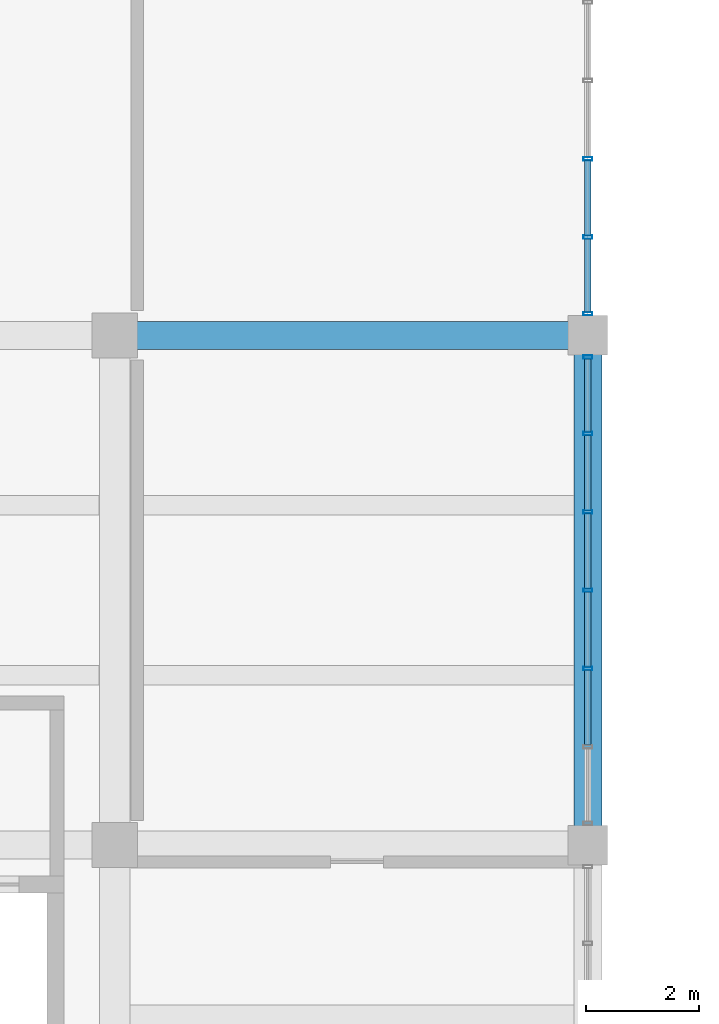
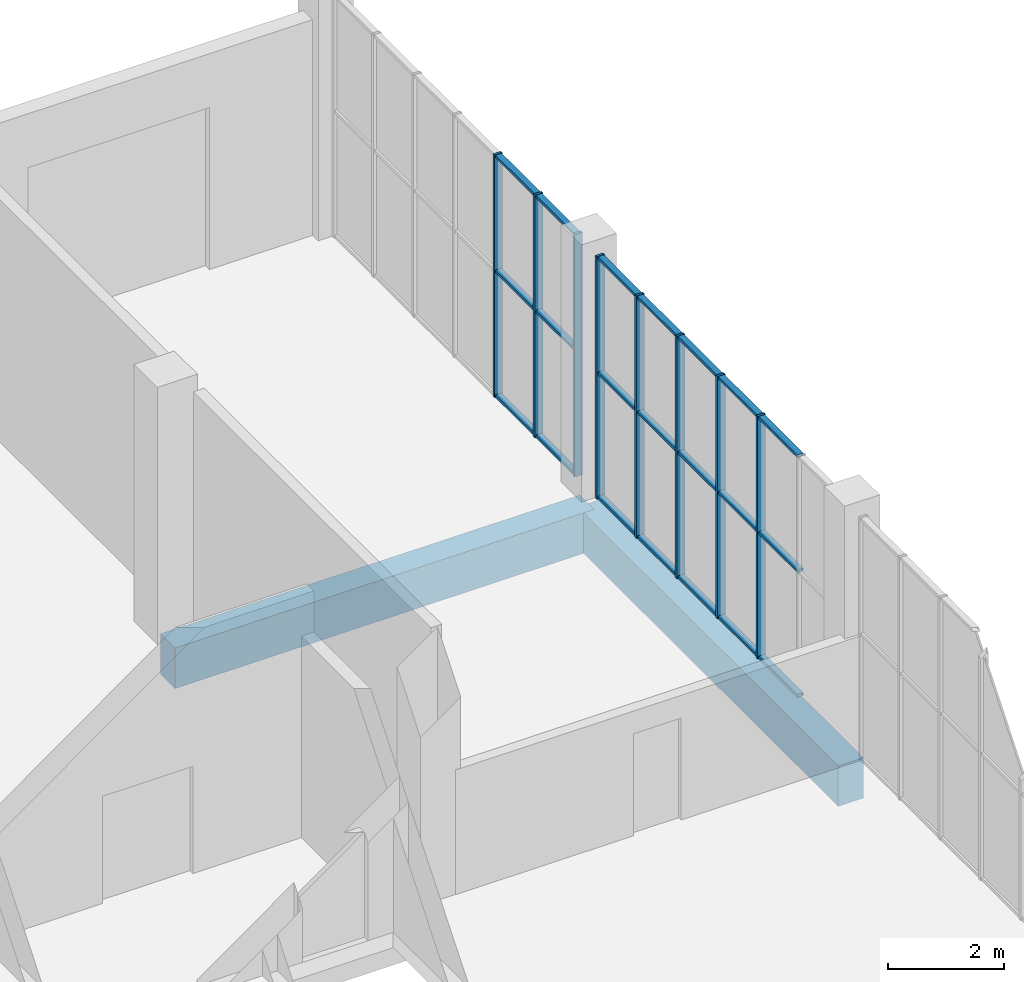
# One storey, part 59 of 91: 29 members, 2 beams, 2 elements without a shape of their own.
"""IFC4 building model written with IfcOpenShell, lengths in metres."""

from ifc_helpers import new_model, si_unit, direction, frame, origin, origin_2d, place, context, subcontext, project, spatial, rectangle, hollow_rectangle, extrude, material, material_profile, profile_set, type_object, element, aggregate, save


model = new_model("IFC4")

# Units and contexts
model_context = context("Model", 3, precision=1e-05, world=origin(), true_north=direction((0.0, 1.0)))
body_context = subcontext(model_context, "Body", "Model", "MODEL_VIEW")
ifc_project = project(units=[si_unit("LENGTHUNIT", "METRE"), si_unit("AREAUNIT", "SQUARE_METRE"), si_unit("VOLUMEUNIT", "CUBIC_METRE"), si_unit("PLANEANGLEUNIT", "RADIAN"), si_unit("MASSUNIT", "GRAM", prefix="KILO")], contexts=[model_context])

# Site, building, storey
site_placement = place(None, origin())
site = spatial("IfcSite", under=ifc_project, at=site_placement, CompositionType="ELEMENT")
building_placement = place(site_placement, origin())
building = spatial("IfcBuilding", under=site, at=building_placement, Name="Khurvash Pelagic Aquarium", CompositionType="ELEMENT")
storey_placement = place(building_placement, origin())
storey = spatial("IfcBuildingStorey", under=building, at=storey_placement, Name="L00", CompositionType="ELEMENT", Elevation=0.0)

# Beam
ifc_material_1 = material(Name="Concrete C40/50", Category="concrete")
ifc_material_profile_1 = material_profile(ifc_material_1, rectangle(XDim=0.5, YDim=0.85009765625, at=origin_2d()), Name="RC500X850")
ifc_profile_set_1 = profile_set([ifc_material_profile_1], Name="Concrete C40/50")
beam_type_1 = type_object("IfcBeamType", Name="BM-03", PredefinedType="BEAM", material=ifc_profile_set_1)
beam_1_placement = place(storey_placement, frame((117.639892578125, 102.14990234375, -0.7451171875), z_axis=(1.0, 0.0, 0.0), x_axis=(0.0, 1.0, 0.0)))
element("IfcBeam", 1, at=beam_1_placement, inside=storey, type_object=beam_type_1, Name="L00 Primary Girder BM-03 00076", PredefinedType="BEAM", context=body_context, shape_type="SweptSolid", body=[
    extrude(rectangle(XDim=0.5, YDim=0.85009765625, at=origin_2d()), origin(), (0.0, 0.0, 1.0), 8.320068359375),
])

# Curtain wall, members
ifc_material_2 = material(Name="Anodised aluminium and low-E laminated glass", Category="aluminium")
curtain_wall_type = type_object("IfcCurtainWallType", Name="CW-05", PredefinedType="USERDEFINED", material=ifc_material_2)
curtain_wall_1_placement = place(storey_placement, origin())
curtain_wall_1 = element("IfcCurtainWall", 2, at=curtain_wall_1_placement, inside=storey, type_object=curtain_wall_type, Name="L00 Facade Unitised Curtain Wall CW-05 0062", ObjectType="UNITISED CURTAIN WALL", PredefinedType="USERDEFINED")
ifc_material_3 = material(Name="Extruded aluminium AW-6063-T6", Category="aluminium")
ifc_material_profile_2 = material_profile(ifc_material_3, hollow_rectangle(XDim=0.06005859375, YDim=0.159912109375, WallThickness=0.00390625, at=origin_2d()), Name="CWM60X160X4")
ifc_profile_set_2 = profile_set([ifc_material_profile_2], Name="Extruded aluminium AW-6063-T6")
member_type_1 = type_object("IfcMemberType", Name="CM-02", PredefinedType="MULLION", material=ifc_profile_set_2)
member_1_placement = place(storey_placement, frame((126.0, 96.235107421875, 0.0), z_axis=(0.0, 0.0, 1.0), x_axis=(0.0, 1.0, 0.0)))
member_1 = element("IfcMember", 3, at=member_1_placement, type_object=member_type_1, Name="CW-05 mullion 3", PredefinedType="MULLION", context=body_context, shape_type="SweptSolid", body=[
    extrude(hollow_rectangle(XDim=0.06005859375, YDim=0.159912109375, WallThickness=0.00390625, at=origin_2d()), origin(), (0.0, 0.0, 1.0), 5.090087890625),
])
member_2_placement = place(storey_placement, frame((126.0, 97.625, 0.0), z_axis=(0.0, 0.0, 1.0), x_axis=(0.0, 1.0, 0.0)))
member_2 = element("IfcMember", 4, at=member_2_placement, type_object=member_type_1, Name="CW-05 mullion 4", PredefinedType="MULLION", context=body_context, shape_type="SweptSolid", body=[
    extrude(hollow_rectangle(XDim=0.06005859375, YDim=0.159912109375, WallThickness=0.00390625, at=origin_2d()), origin(), (0.0, 0.0, 1.0), 5.090087890625),
])
member_3_placement = place(storey_placement, frame((126.0, 99.014892578125, 0.0), z_axis=(0.0, 0.0, 1.0), x_axis=(0.0, 1.0, 0.0)))
member_3 = element("IfcMember", 5, at=member_3_placement, type_object=member_type_1, Name="CW-05 mullion 5", PredefinedType="MULLION", context=body_context, shape_type="SweptSolid", body=[
    extrude(hollow_rectangle(XDim=0.06005859375, YDim=0.159912109375, WallThickness=0.00390625, at=origin_2d()), origin(), (0.0, 0.0, 1.0), 5.090087890625),
])
member_4_placement = place(storey_placement, frame((126.0, 100.405029296875, 0.0), z_axis=(0.0, 0.0, 1.0), x_axis=(0.0, 1.0, 0.0)))
member_4 = element("IfcMember", 6, at=member_4_placement, type_object=member_type_1, Name="CW-05 mullion 6", PredefinedType="MULLION", context=body_context, shape_type="SweptSolid", body=[
    extrude(hollow_rectangle(XDim=0.06005859375, YDim=0.159912109375, WallThickness=0.00390625, at=origin_2d()), origin(), (0.0, 0.0, 1.0), 5.090087890625),
])
member_5_placement = place(storey_placement, frame((126.0, 101.764892578125, 0.0), z_axis=(0.0, 0.0, 1.0), x_axis=(0.0, 1.0, 0.0)))
member_5 = element("IfcMember", 7, at=member_5_placement, type_object=member_type_1, Name="CW-05 mullion 7", PredefinedType="MULLION", context=body_context, shape_type="SweptSolid", body=[
    extrude(hollow_rectangle(XDim=0.06005859375, YDim=0.159912109375, WallThickness=0.00390625, at=origin_2d()), origin(), (0.0, 0.0, 1.0), 5.090087890625),
])

curtain_wall_2_placement = place(storey_placement, origin())
curtain_wall_2 = element("IfcCurtainWall", 8, at=curtain_wall_2_placement, inside=storey, type_object=curtain_wall_type, Name="L00 Facade Unitised Curtain Wall CW-05 0063", ObjectType="UNITISED CURTAIN WALL", PredefinedType="USERDEFINED")
member_6_placement = place(storey_placement, frame((126.0, 102.534912109375, 0.0), z_axis=(0.0, 0.0, 1.0), x_axis=(0.0, 1.0, 0.0)))
member_6 = element("IfcMember", 9, at=member_6_placement, type_object=member_type_1, Name="CW-05 mullion 1", PredefinedType="MULLION", context=body_context, shape_type="SweptSolid", body=[
    extrude(hollow_rectangle(XDim=0.06005859375, YDim=0.159912109375, WallThickness=0.00390625, at=origin_2d()), origin(), (0.0, 0.0, 1.0), 5.090087890625),
])
member_7_placement = place(storey_placement, frame((126.0, 103.89501953125, 0.0), z_axis=(0.0, 0.0, 1.0), x_axis=(0.0, 1.0, 0.0)))
member_7 = element("IfcMember", 10, at=member_7_placement, type_object=member_type_1, Name="CW-05 mullion 2", PredefinedType="MULLION", context=body_context, shape_type="SweptSolid", body=[
    extrude(hollow_rectangle(XDim=0.06005859375, YDim=0.159912109375, WallThickness=0.00390625, at=origin_2d()), origin(), (0.0, 0.0, 1.0), 5.090087890625),
])
member_8_placement = place(storey_placement, frame((126.0, 105.284912109375, 0.0), z_axis=(0.0, 0.0, 1.0), x_axis=(0.0, 1.0, 0.0)))
member_8 = element("IfcMember", 11, at=member_8_placement, type_object=member_type_1, Name="CW-05 mullion 3", PredefinedType="MULLION", context=body_context, shape_type="SweptSolid", body=[
    extrude(hollow_rectangle(XDim=0.06005859375, YDim=0.159912109375, WallThickness=0.00390625, at=origin_2d()), origin(), (0.0, 0.0, 1.0), 5.090087890625),
])

# Member
ifc_material_profile_3 = material_profile(ifc_material_3, hollow_rectangle(XDim=0.1201171875, YDim=0.06005859375, WallThickness=0.00390625, at=origin_2d()), Name="CWT120X60X4")
ifc_profile_set_3 = profile_set([ifc_material_profile_3], Name="Extruded aluminium AW-6063-T6")
member_type_2 = type_object("IfcMemberType", Name="CT-02", PredefinedType="USERDEFINED", material=ifc_profile_set_3)
member_9_placement = place(storey_placement, frame((126.0, 94.875, 0.030029296875), z_axis=(0.0, 1.0, 0.0), x_axis=(-1.0, 0.0, 0.0)))
member_9 = element("IfcMember", 12, at=member_9_placement, type_object=member_type_2, Name="CW-05 transom 2.1", ObjectType="TRANSOM", PredefinedType="USERDEFINED", context=body_context, shape_type="SweptSolid", body=[
    extrude(hollow_rectangle(XDim=0.1201171875, YDim=0.06005859375, WallThickness=0.00390625, at=origin_2d()), origin(), (0.0, 0.0, 1.0), 1.330078125),
])

member_10_placement = place(storey_placement, frame((126.0, 94.875, 2.64697265625), z_axis=(0.0, 1.0, 0.0), x_axis=(-1.0, 0.0, 0.0)))
member_10 = element("IfcMember", 13, at=member_10_placement, type_object=member_type_2, Name="CW-05 transom 2.2", ObjectType="TRANSOM", PredefinedType="USERDEFINED", context=body_context, shape_type="SweptSolid", body=[
    extrude(hollow_rectangle(XDim=0.1201171875, YDim=0.06005859375, WallThickness=0.00390625, at=origin_2d()), origin(), (0.0, 0.0, 1.0), 1.330078125),
])

member_11_placement = place(storey_placement, frame((126.0, 94.875, 5.06005859375), z_axis=(0.0, 1.0, 0.0), x_axis=(-1.0, 0.0, 0.0)))
member_11 = element("IfcMember", 14, at=member_11_placement, type_object=member_type_2, Name="CW-05 transom 2.3", ObjectType="TRANSOM", PredefinedType="USERDEFINED", context=body_context, shape_type="SweptSolid", body=[
    extrude(hollow_rectangle(XDim=0.1201171875, YDim=0.06005859375, WallThickness=0.00390625, at=origin_2d()), origin(), (0.0, 0.0, 1.0), 1.330078125),
])

member_12_placement = place(storey_placement, frame((126.0, 96.264892578125, 0.030029296875), z_axis=(0.0, 1.0, 0.0), x_axis=(-1.0, 0.0, 0.0)))
member_12 = element("IfcMember", 15, at=member_12_placement, type_object=member_type_2, Name="CW-05 transom 3.1", ObjectType="TRANSOM", PredefinedType="USERDEFINED", context=body_context, shape_type="SweptSolid", body=[
    extrude(hollow_rectangle(XDim=0.1201171875, YDim=0.06005859375, WallThickness=0.00390625, at=origin_2d()), origin(), (0.0, 0.0, 1.0), 1.330078125),
])

member_13_placement = place(storey_placement, frame((126.0, 96.264892578125, 2.64697265625), z_axis=(0.0, 1.0, 0.0), x_axis=(-1.0, 0.0, 0.0)))
member_13 = element("IfcMember", 16, at=member_13_placement, type_object=member_type_2, Name="CW-05 transom 3.2", ObjectType="TRANSOM", PredefinedType="USERDEFINED", context=body_context, shape_type="SweptSolid", body=[
    extrude(hollow_rectangle(XDim=0.1201171875, YDim=0.06005859375, WallThickness=0.00390625, at=origin_2d()), origin(), (0.0, 0.0, 1.0), 1.330078125),
])

member_14_placement = place(storey_placement, frame((126.0, 96.264892578125, 5.06005859375), z_axis=(0.0, 1.0, 0.0), x_axis=(-1.0, 0.0, 0.0)))
member_14 = element("IfcMember", 17, at=member_14_placement, type_object=member_type_2, Name="CW-05 transom 3.3", ObjectType="TRANSOM", PredefinedType="USERDEFINED", context=body_context, shape_type="SweptSolid", body=[
    extrude(hollow_rectangle(XDim=0.1201171875, YDim=0.06005859375, WallThickness=0.00390625, at=origin_2d()), origin(), (0.0, 0.0, 1.0), 1.330078125),
])

member_15_placement = place(storey_placement, frame((126.0, 97.655029296875, 0.030029296875), z_axis=(0.0, 1.0, 0.0), x_axis=(-1.0, 0.0, 0.0)))
member_15 = element("IfcMember", 18, at=member_15_placement, type_object=member_type_2, Name="CW-05 transom 4.1", ObjectType="TRANSOM", PredefinedType="USERDEFINED", context=body_context, shape_type="SweptSolid", body=[
    extrude(hollow_rectangle(XDim=0.1201171875, YDim=0.06005859375, WallThickness=0.00390625, at=origin_2d()), origin(), (0.0, 0.0, 1.0), 1.330078125),
])

member_16_placement = place(storey_placement, frame((126.0, 97.655029296875, 2.64697265625), z_axis=(0.0, 1.0, 0.0), x_axis=(-1.0, 0.0, 0.0)))
member_16 = element("IfcMember", 19, at=member_16_placement, type_object=member_type_2, Name="CW-05 transom 4.2", ObjectType="TRANSOM", PredefinedType="USERDEFINED", context=body_context, shape_type="SweptSolid", body=[
    extrude(hollow_rectangle(XDim=0.1201171875, YDim=0.06005859375, WallThickness=0.00390625, at=origin_2d()), origin(), (0.0, 0.0, 1.0), 1.330078125),
])

member_17_placement = place(storey_placement, frame((126.0, 97.655029296875, 5.06005859375), z_axis=(0.0, 1.0, 0.0), x_axis=(-1.0, 0.0, 0.0)))
member_17 = element("IfcMember", 20, at=member_17_placement, type_object=member_type_2, Name="CW-05 transom 4.3", ObjectType="TRANSOM", PredefinedType="USERDEFINED", context=body_context, shape_type="SweptSolid", body=[
    extrude(hollow_rectangle(XDim=0.1201171875, YDim=0.06005859375, WallThickness=0.00390625, at=origin_2d()), origin(), (0.0, 0.0, 1.0), 1.330078125),
])

member_18_placement = place(storey_placement, frame((126.0, 99.044921875, 0.030029296875), z_axis=(0.0, 1.0, 0.0), x_axis=(-1.0, 0.0, 0.0)))
member_18 = element("IfcMember", 21, at=member_18_placement, type_object=member_type_2, Name="CW-05 transom 5.1", ObjectType="TRANSOM", PredefinedType="USERDEFINED", context=body_context, shape_type="SweptSolid", body=[
    extrude(hollow_rectangle(XDim=0.1201171875, YDim=0.06005859375, WallThickness=0.00390625, at=origin_2d()), origin(), (0.0, 0.0, 1.0), 1.330078125),
])

member_19_placement = place(storey_placement, frame((126.0, 99.044921875, 2.64697265625), z_axis=(0.0, 1.0, 0.0), x_axis=(-1.0, 0.0, 0.0)))
member_19 = element("IfcMember", 22, at=member_19_placement, type_object=member_type_2, Name="CW-05 transom 5.2", ObjectType="TRANSOM", PredefinedType="USERDEFINED", context=body_context, shape_type="SweptSolid", body=[
    extrude(hollow_rectangle(XDim=0.1201171875, YDim=0.06005859375, WallThickness=0.00390625, at=origin_2d()), origin(), (0.0, 0.0, 1.0), 1.330078125),
])

member_20_placement = place(storey_placement, frame((126.0, 99.044921875, 5.06005859375), z_axis=(0.0, 1.0, 0.0), x_axis=(-1.0, 0.0, 0.0)))
member_20 = element("IfcMember", 23, at=member_20_placement, type_object=member_type_2, Name="CW-05 transom 5.3", ObjectType="TRANSOM", PredefinedType="USERDEFINED", context=body_context, shape_type="SweptSolid", body=[
    extrude(hollow_rectangle(XDim=0.1201171875, YDim=0.06005859375, WallThickness=0.00390625, at=origin_2d()), origin(), (0.0, 0.0, 1.0), 1.330078125),
])

member_21_placement = place(storey_placement, frame((126.0, 100.43505859375, 0.030029296875), z_axis=(0.0, 1.0, 0.0), x_axis=(-1.0, 0.0, 0.0)))
member_21 = element("IfcMember", 24, at=member_21_placement, type_object=member_type_2, Name="CW-05 transom 6.1", ObjectType="TRANSOM", PredefinedType="USERDEFINED", context=body_context, shape_type="SweptSolid", body=[
    extrude(hollow_rectangle(XDim=0.1201171875, YDim=0.06005859375, WallThickness=0.00390625, at=origin_2d()), origin(), (0.0, 0.0, 1.0), 1.300048828125),
])

member_22_placement = place(storey_placement, frame((126.0, 100.43505859375, 2.64697265625), z_axis=(0.0, 1.0, 0.0), x_axis=(-1.0, 0.0, 0.0)))
member_22 = element("IfcMember", 25, at=member_22_placement, type_object=member_type_2, Name="CW-05 transom 6.2", ObjectType="TRANSOM", PredefinedType="USERDEFINED", context=body_context, shape_type="SweptSolid", body=[
    extrude(hollow_rectangle(XDim=0.1201171875, YDim=0.06005859375, WallThickness=0.00390625, at=origin_2d()), origin(), (0.0, 0.0, 1.0), 1.300048828125),
])

member_23_placement = place(storey_placement, frame((126.0, 100.43505859375, 5.06005859375), z_axis=(0.0, 1.0, 0.0), x_axis=(-1.0, 0.0, 0.0)))
member_23 = element("IfcMember", 26, at=member_23_placement, type_object=member_type_2, Name="CW-05 transom 6.3", ObjectType="TRANSOM", PredefinedType="USERDEFINED", context=body_context, shape_type="SweptSolid", body=[
    extrude(hollow_rectangle(XDim=0.1201171875, YDim=0.06005859375, WallThickness=0.00390625, at=origin_2d()), origin(), (0.0, 0.0, 1.0), 1.300048828125),
])

aggregate(curtain_wall_1, [member_1, member_2, member_3, member_4, member_5, member_9, member_10, member_11, member_12, member_13, member_14, member_15, member_16, member_17, member_18, member_19, member_20, member_21, member_22, member_23])

member_24_placement = place(storey_placement, frame((126.0, 102.56494140625, 0.030029296875), z_axis=(0.0, 1.0, 0.0), x_axis=(-1.0, 0.0, 0.0)))
member_24 = element("IfcMember", 27, at=member_24_placement, type_object=member_type_2, Name="CW-05 transom 1.1", ObjectType="TRANSOM", PredefinedType="USERDEFINED", context=body_context, shape_type="SweptSolid", body=[
    extrude(hollow_rectangle(XDim=0.1201171875, YDim=0.06005859375, WallThickness=0.00390625, at=origin_2d()), origin(), (0.0, 0.0, 1.0), 1.300048828125),
])

member_25_placement = place(storey_placement, frame((126.0, 102.56494140625, 2.64697265625), z_axis=(0.0, 1.0, 0.0), x_axis=(-1.0, 0.0, 0.0)))
member_25 = element("IfcMember", 28, at=member_25_placement, type_object=member_type_2, Name="CW-05 transom 1.2", ObjectType="TRANSOM", PredefinedType="USERDEFINED", context=body_context, shape_type="SweptSolid", body=[
    extrude(hollow_rectangle(XDim=0.1201171875, YDim=0.06005859375, WallThickness=0.00390625, at=origin_2d()), origin(), (0.0, 0.0, 1.0), 1.300048828125),
])

member_26_placement = place(storey_placement, frame((126.0, 102.56494140625, 5.06005859375), z_axis=(0.0, 1.0, 0.0), x_axis=(-1.0, 0.0, 0.0)))
member_26 = element("IfcMember", 29, at=member_26_placement, type_object=member_type_2, Name="CW-05 transom 1.3", ObjectType="TRANSOM", PredefinedType="USERDEFINED", context=body_context, shape_type="SweptSolid", body=[
    extrude(hollow_rectangle(XDim=0.1201171875, YDim=0.06005859375, WallThickness=0.00390625, at=origin_2d()), origin(), (0.0, 0.0, 1.0), 1.300048828125),
])

member_27_placement = place(storey_placement, frame((126.0, 103.925048828125, 0.030029296875), z_axis=(0.0, 1.0, 0.0), x_axis=(-1.0, 0.0, 0.0)))
member_27 = element("IfcMember", 30, at=member_27_placement, type_object=member_type_2, Name="CW-05 transom 2.1", ObjectType="TRANSOM", PredefinedType="USERDEFINED", context=body_context, shape_type="SweptSolid", body=[
    extrude(hollow_rectangle(XDim=0.1201171875, YDim=0.06005859375, WallThickness=0.00390625, at=origin_2d()), origin(), (0.0, 0.0, 1.0), 1.329833984375),
])

member_28_placement = place(storey_placement, frame((126.0, 103.925048828125, 2.64697265625), z_axis=(0.0, 1.0, 0.0), x_axis=(-1.0, 0.0, 0.0)))
member_28 = element("IfcMember", 31, at=member_28_placement, type_object=member_type_2, Name="CW-05 transom 2.2", ObjectType="TRANSOM", PredefinedType="USERDEFINED", context=body_context, shape_type="SweptSolid", body=[
    extrude(hollow_rectangle(XDim=0.1201171875, YDim=0.06005859375, WallThickness=0.00390625, at=origin_2d()), origin(), (0.0, 0.0, 1.0), 1.329833984375),
])

member_29_placement = place(storey_placement, frame((126.0, 103.925048828125, 5.06005859375), z_axis=(0.0, 1.0, 0.0), x_axis=(-1.0, 0.0, 0.0)))
member_29 = element("IfcMember", 32, at=member_29_placement, type_object=member_type_2, Name="CW-05 transom 2.3", ObjectType="TRANSOM", PredefinedType="USERDEFINED", context=body_context, shape_type="SweptSolid", body=[
    extrude(hollow_rectangle(XDim=0.1201171875, YDim=0.06005859375, WallThickness=0.00390625, at=origin_2d()), origin(), (0.0, 0.0, 1.0), 1.329833984375),
])

aggregate(curtain_wall_2, [member_6, member_7, member_8, member_24, member_25, member_26, member_27, member_28, member_29])

# Beam
ifc_material_profile_4 = material_profile(ifc_material_1, rectangle(XDim=0.5, YDim=0.85009765625, at=origin_2d()), Name="RC500X850")
ifc_profile_set_4 = profile_set([ifc_material_profile_4], Name="Concrete C40/50")
beam_type_2 = type_object("IfcBeamType", Name="SEB-03", PredefinedType="SPANDREL", material=ifc_profile_set_4)
beam_2_placement = place(storey_placement, frame((126.0, 93.139892578125, -0.7451171875), z_axis=(0.0, 1.0, 0.0), x_axis=(-1.0, 0.0, 0.0)))
element("IfcBeam", 33, at=beam_2_placement, inside=storey, type_object=beam_type_2, Name="L00 Primary Girder SEB-03 00144", PredefinedType="SPANDREL", context=body_context, shape_type="SweptSolid", body=[
    extrude(rectangle(XDim=0.5, YDim=0.85009765625, at=origin_2d()), origin(), (0.0, 0.0, 1.0), 8.97021484375),
])

save(model, "model.ifc")
